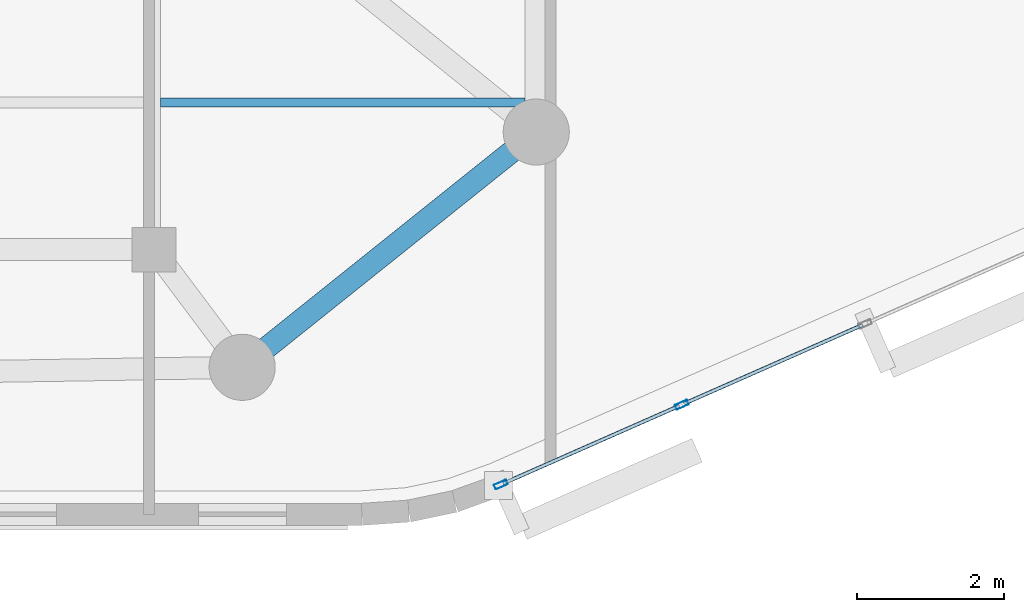
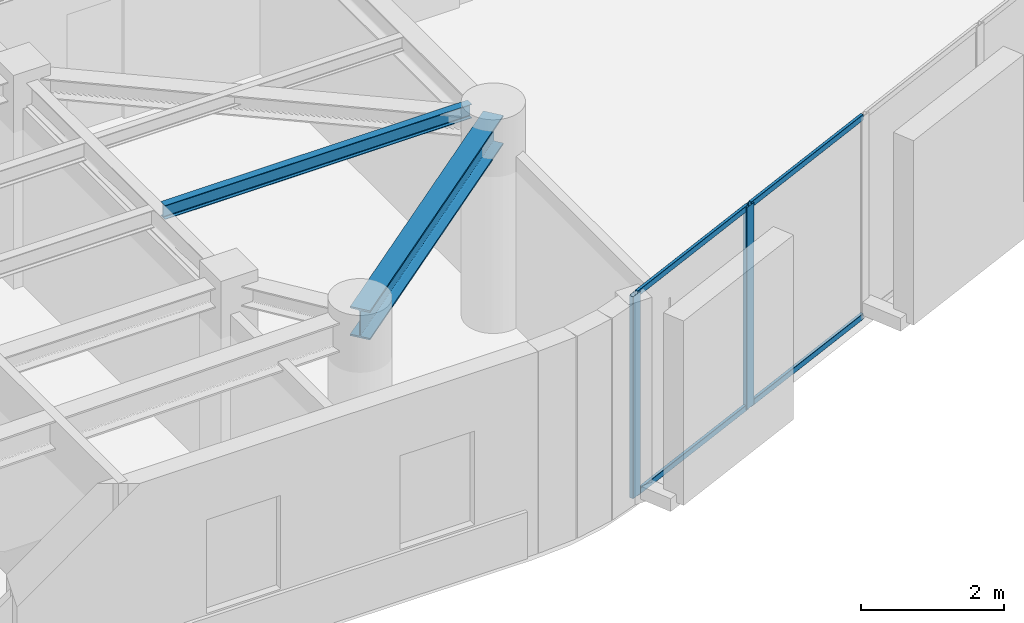
# One storey, part 2 of 14: 6 members, 2 beams, 1 element without a shape of its own.
"""IFC4 building model written with IfcOpenShell, lengths in metres."""

from ifc_helpers import new_model, si_unit, direction, frame, origin, origin_2d, place, context, subcontext, project, spatial, hollow_rectangle, i_section, extrude, material, layer, layer_set, material_profile, profile_set, type_object, element, aggregate, save


model = new_model("IFC4")

# Units and contexts
model_context = context("Model", 3, precision=1e-05, world=origin(), true_north=direction((0.0, 1.0)))
body_context = subcontext(model_context, "Body", "Model", "MODEL_VIEW")
ifc_project = project(units=[si_unit("LENGTHUNIT", "METRE"), si_unit("AREAUNIT", "SQUARE_METRE"), si_unit("VOLUMEUNIT", "CUBIC_METRE"), si_unit("PLANEANGLEUNIT", "RADIAN"), si_unit("MASSUNIT", "GRAM", prefix="KILO")], contexts=[model_context])

# Site, building, storey
site_placement = place(None, origin())
site = spatial("IfcSite", under=ifc_project, at=site_placement, CompositionType="ELEMENT")
building_placement = place(site_placement, origin())
building = spatial("IfcBuilding", under=site, at=building_placement, Name="An Khanh Terracotta Commons", CompositionType="ELEMENT")
storey_placement = place(building_placement, frame((0.0, 0.0, 284.35009765625)))
storey = spatial("IfcBuildingStorey", under=building, at=storey_placement, Name="L74", CompositionType="ELEMENT", Elevation=284.35009765625)

# Beams
ifc_material_1 = material(Name="Steel S355J2", Category="steel")
ifc_material_profile_1 = material_profile(ifc_material_1, i_section(OverallWidth=0.300048828125, OverallDepth=0.5, WebThickness=0.014404296875, FlangeThickness=0.028076171875, FilletRadius=0.027099609375, at=origin_2d()), Name="HEB500")
ifc_profile_set_1 = profile_set([ifc_material_profile_1], Name="Steel S355J2")
beam_type_1 = type_object("IfcBeamType", Name="BM-HEB500", PredefinedType="BEAM", material=ifc_profile_set_1)
beam_1_placement = place(storey_placement, frame((59.39990234375, 12.800048828125, 3.199951171875), z_axis=(0.780873459249, 0.624689235253, 0.0), x_axis=(-0.624689235253, 0.780873459249, 0.0)))
element("IfcBeam", 1, at=beam_1_placement, inside=storey, type_object=beam_type_1, Name="L74 Perimeter Ring Spandrel 2", PredefinedType="BEAM", context=body_context, shape_type="SweptSolid", body=[
    extrude(i_section(OverallWidth=0.300048828125, OverallDepth=0.5, WebThickness=0.014404296875, FlangeThickness=0.028076171875, FilletRadius=0.027099609375, at=origin_2d()), origin(), (0.0, 0.0, 1.0), 5.12255859375),
])
ifc_material_profile_2 = material_profile(ifc_material_1, i_section(OverallWidth=0.1201171875, OverallDepth=0.239990234375, WebThickness=0.006103515625, FlangeThickness=0.009765625, FilletRadius=0.014892578125, at=origin_2d()), Name="IPE240")
ifc_profile_set_2 = profile_set([ifc_material_profile_2], Name="Steel S355J2")
beam_type_2 = type_object("IfcBeamType", Name="BM-IPE240", PredefinedType="JOIST", material=ifc_profile_set_2)
beam_2_placement = place(storey_placement, frame((58.2900390625, 16.39990234375, 3.329833984375), z_axis=(1.0, 0.0, 0.0), x_axis=(0.0, 1.0, 0.0)))
element("IfcBeam", 2, at=beam_2_placement, inside=storey, type_object=beam_type_2, Name="L74 Riverfront Composite Joist 1", PredefinedType="JOIST", context=body_context, shape_type="SweptSolid", body=[
    extrude(i_section(OverallWidth=0.1201171875, OverallDepth=0.239990234375, WebThickness=0.006103515625, FlangeThickness=0.009765625, FilletRadius=0.014892578125, at=origin_2d()), origin(), (0.0, 0.0, 1.0), 4.9599609375),
])

# Curtain wall, members
ifc_material_2 = material(Name="Anodised Aluminium 6063-T6", Category="aluminium")
ifc_layer = layer(ifc_material_2, 0.2099609375, Name="Anodised Aluminium 6063-T6")
ifc_layer_set = layer_set([ifc_layer], Name="Anodised Aluminium 6063-T6")
curtain_wall_type = type_object("IfcCurtainWallType", Name="CW-SYS-03", PredefinedType="USERDEFINED", material=ifc_layer_set)
curtain_wall_placement = place(storey_placement, origin())
curtain_wall = element("IfcCurtainWall", 3, at=curtain_wall_placement, inside=storey, type_object=curtain_wall_type, Name="L74 CW-03 Unitised Curtain Wall CW-L74-08", ObjectType="UNITISED CURTAIN WALL", PredefinedType="USERDEFINED")
ifc_material_profile_3 = material_profile(ifc_material_2, hollow_rectangle(XDim=0.070068359375, YDim=0.179931640625, WallThickness=0.00390625, InnerFilletRadius=0.00390625, OuterFilletRadius=0.008056640625, at=origin_2d()), Name="RHS180x70x4")
ifc_profile_set_3 = profile_set([ifc_material_profile_3], Name="Anodised Aluminium 6063-T6")
member_type_1 = type_object("IfcMemberType", Name="CWM-RHS180x70x4", PredefinedType="MULLION", material=ifc_profile_set_3)
member_1_placement = place(storey_placement, frame((62.9189453125, 11.205078125, 0.0), z_axis=(0.0, 0.0, 1.0), x_axis=(-0.403676354285, 0.914901853201, 0.0)))
member_1 = element("IfcMember", 4, at=member_1_placement, type_object=member_type_1, Name="CW-03 mullion 1", PredefinedType="MULLION", context=body_context, shape_type="SweptSolid", body=[
    extrude(hollow_rectangle(XDim=0.070068359375, YDim=0.179931640625, WallThickness=0.00390625, InnerFilletRadius=0.00390625, OuterFilletRadius=0.008056640625, at=origin_2d()), origin(), (0.0, 0.0, 1.0), 3.449951171875),
])
member_2_placement = place(storey_placement, frame((65.37939453125, 12.290771484375, 0.0), z_axis=(0.0, 0.0, 1.0), x_axis=(-0.403676354285, 0.914901853201, 0.0)))
member_2 = element("IfcMember", 5, at=member_2_placement, type_object=member_type_1, Name="CW-03 mullion 2", PredefinedType="MULLION", context=body_context, shape_type="SweptSolid", body=[
    extrude(hollow_rectangle(XDim=0.070068359375, YDim=0.179931640625, WallThickness=0.00390625, InnerFilletRadius=0.00390625, OuterFilletRadius=0.008056640625, at=origin_2d()), origin(), (0.0, 0.0, 1.0), 3.449951171875),
])
ifc_material_profile_4 = material_profile(ifc_material_2, hollow_rectangle(XDim=0.050048828125, YDim=0.10009765625, WallThickness=0.003173828125, InnerFilletRadius=0.003173828125, OuterFilletRadius=0.00634765625, at=origin_2d()), Name="RHS100x50x3.2")
ifc_profile_set_4 = profile_set([ifc_material_profile_4], Name="Anodised Aluminium 6063-T6")
member_type_2 = type_object("IfcMemberType", Name="CWT-RHS100x50x3.2", PredefinedType="USERDEFINED", material=ifc_profile_set_4)
member_3_placement = place(storey_placement, frame((62.950927734375, 11.21923828125, 0.02490234375), z_axis=(0.914903627858, 0.403672332137, 0.0), x_axis=(-0.403672332137, 0.914903627858, 0.0)))
member_3 = element("IfcMember", 6, at=member_3_placement, type_object=member_type_2, Name="CW-03 transom 1.1", ObjectType="TRANSOM", PredefinedType="USERDEFINED", context=body_context, shape_type="SweptSolid", body=[
    extrude(hollow_rectangle(XDim=0.050048828125, YDim=0.10009765625, WallThickness=0.003173828125, InnerFilletRadius=0.003173828125, OuterFilletRadius=0.00634765625, at=origin_2d()), origin(), (0.0, 0.0, 1.0), 2.619384765625),
])
member_4_placement = place(storey_placement, frame((62.950927734375, 11.21923828125, 3.4248046875), z_axis=(0.914903627858, 0.403672332137, 0.0), x_axis=(-0.403672332137, 0.914903627858, 0.0)))
member_4 = element("IfcMember", 7, at=member_4_placement, type_object=member_type_2, Name="CW-03 transom 1.2", ObjectType="TRANSOM", PredefinedType="USERDEFINED", context=body_context, shape_type="SweptSolid", body=[
    extrude(hollow_rectangle(XDim=0.050048828125, YDim=0.10009765625, WallThickness=0.003173828125, InnerFilletRadius=0.003173828125, OuterFilletRadius=0.00634765625, at=origin_2d()), origin(), (0.0, 0.0, 1.0), 2.619384765625),
])
member_5_placement = place(storey_placement, frame((65.41162109375, 12.304931640625, 0.02490234375), z_axis=(0.914896820753, 0.403687759755, 0.0), x_axis=(-0.403687759755, 0.914896820753, 0.0)))
member_5 = element("IfcMember", 8, at=member_5_placement, type_object=member_type_2, Name="CW-03 transom 2.1", ObjectType="TRANSOM", PredefinedType="USERDEFINED", context=body_context, shape_type="SweptSolid", body=[
    extrude(hollow_rectangle(XDim=0.050048828125, YDim=0.10009765625, WallThickness=0.003173828125, InnerFilletRadius=0.003173828125, OuterFilletRadius=0.00634765625, at=origin_2d()), origin(), (0.0, 0.0, 1.0), 2.654296875),
])
member_6_placement = place(storey_placement, frame((65.41162109375, 12.304931640625, 3.4248046875), z_axis=(0.914896820753, 0.403687759755, 0.0), x_axis=(-0.403687759755, 0.914896820753, 0.0)))
member_6 = element("IfcMember", 9, at=member_6_placement, type_object=member_type_2, Name="CW-03 transom 2.2", ObjectType="TRANSOM", PredefinedType="USERDEFINED", context=body_context, shape_type="SweptSolid", body=[
    extrude(hollow_rectangle(XDim=0.050048828125, YDim=0.10009765625, WallThickness=0.003173828125, InnerFilletRadius=0.003173828125, OuterFilletRadius=0.00634765625, at=origin_2d()), origin(), (0.0, 0.0, 1.0), 2.654296875),
])
aggregate(curtain_wall, [member_1, member_2, member_3, member_4, member_5, member_6])

save(model, "model.ifc")
